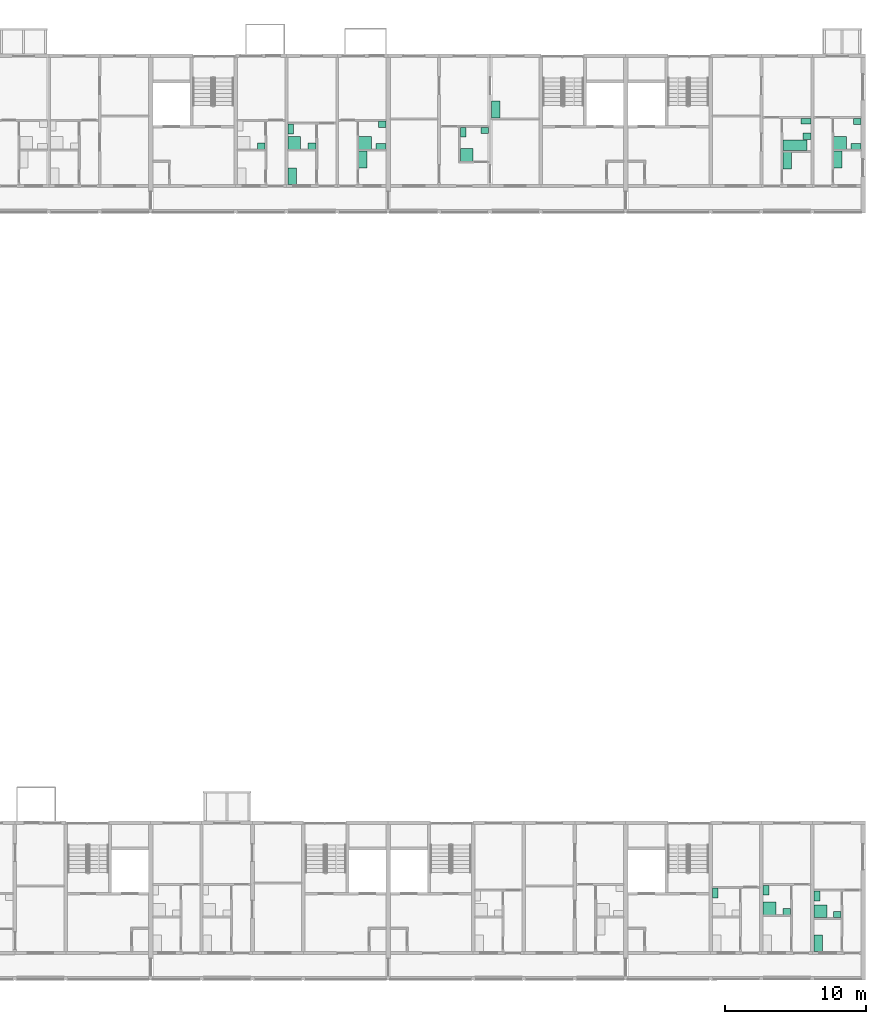
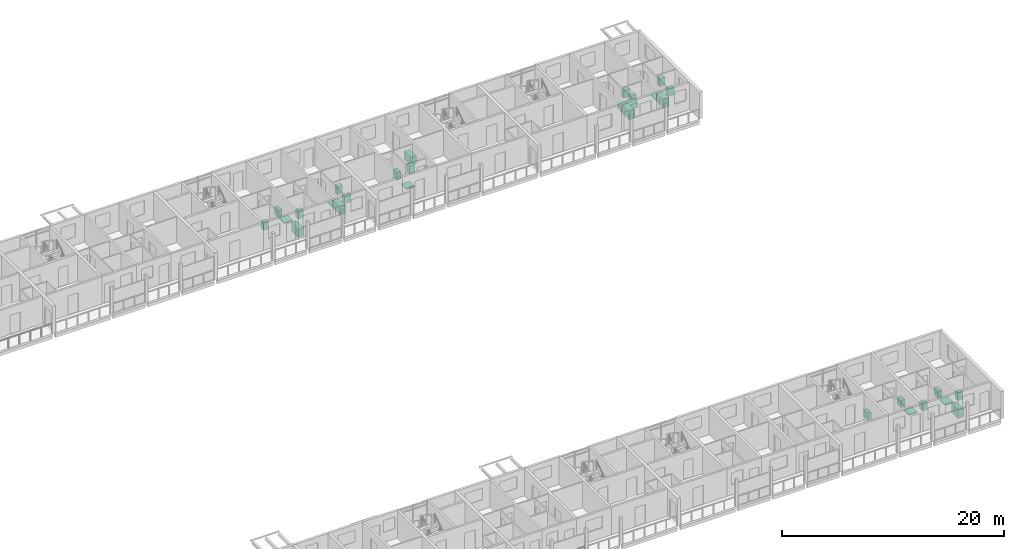
# One storey, part 98 of 98: 29 sanitary terminals.
"""IFC4 building model written with IfcOpenShell, lengths in metres."""

from ifc_helpers import new_model, si_unit, direction, frame, origin, origin_2d, place, context, subcontext, project, spatial, rectangle, extrude, element, save


model = new_model("IFC4")

# Units and contexts
model_context = context("Model", 3, precision=1e-05, world=origin(), true_north=direction((0.0, 1.0)))
body_context = subcontext(model_context, "Body", "Model", "MODEL_VIEW")
ifc_project = project(units=[si_unit("LENGTHUNIT", "METRE"), si_unit("AREAUNIT", "SQUARE_METRE"), si_unit("VOLUMEUNIT", "CUBIC_METRE"), si_unit("PLANEANGLEUNIT", "RADIAN"), si_unit("MASSUNIT", "GRAM", prefix="KILO")], contexts=[model_context])

# Site, building, storey
site_placement = place(None, origin())
site = spatial("IfcSite", under=ifc_project, at=site_placement, CompositionType="ELEMENT")
building_placement = place(site_placement, origin())
building = spatial("IfcBuilding", under=site, at=building_placement, Name="Ridgestep Commons", CompositionType="ELEMENT")
storey_placement = place(building_placement, frame((0.0, 0.0, 12.0)))
storey = spatial("IfcBuildingStorey", under=building, at=storey_placement, Name="L04", CompositionType="ELEMENT", Elevation=12.0)

# Sanitary terminals
sanitary_terminal_1_placement = place(storey_placement, frame((212.360107421875, 70.9599609375, 0.0), z_axis=(0.0, 0.0, 1.0), x_axis=(1.0, 0.0, 0.0)))
element("IfcSanitaryTerminal", 1, at=sanitary_terminal_1_placement, inside=storey, Name="Shower tray C4-04a", PredefinedType="SHOWER", context=body_context, shape_type="SweptSolid", body=[
    extrude(rectangle(XDim=0.89990234375, YDim=0.89990234375, at=origin_2d()), origin(), (0.0, 0.0, 1.0), 0.10009765625),
])
sanitary_terminal_2_placement = place(storey_placement, frame((213.5, 70.7099609375, 0.0), z_axis=(0.0, 0.0, 1.0), x_axis=(1.0, 0.0, 0.0)))
element("IfcSanitaryTerminal", 2, at=sanitary_terminal_2_placement, inside=storey, Name="WC C4-04a", PredefinedType="TOILETPAN", context=body_context, shape_type="SweptSolid", body=[
    extrude(rectangle(XDim=0.699951171875, YDim=0.39990234375, at=origin_2d()), origin(), (0.0, 0.0, 1.0), 0.800048828125),
])
sanitary_terminal_3_placement = place(storey_placement, frame((213.574951171875, 72.27490234375, 0.0), z_axis=(0.0, 0.0, 1.0), x_axis=(1.0, 0.0, 0.0)))
element("IfcSanitaryTerminal", 3, at=sanitary_terminal_3_placement, inside=storey, Name="Basin C4-04a", PredefinedType="WASHHANDBASIN", context=body_context, shape_type="SweptSolid", body=[
    extrude(rectangle(XDim=0.550048828125, YDim=0.449951171875, at=origin_2d()), origin(), (0.0, 0.0, 1.0), 0.85009765625),
])
sanitary_terminal_4_placement = place(storey_placement, frame((212.2099609375, 69.800048828125, 0.0), z_axis=(0.0, 0.0, 1.0), x_axis=(1.0, 0.0, 0.0)))
element("IfcSanitaryTerminal", 4, at=sanitary_terminal_4_placement, inside=storey, Name="Kitchen sink C4-04a", PredefinedType="SINK", context=body_context, shape_type="SweptSolid", body=[
    extrude(rectangle(XDim=0.60009765625, YDim=1.199951171875, at=origin_2d()), origin(), (0.0, 0.0, 1.0), 0.89990234375),
])
sanitary_terminal_5_placement = place(storey_placement, frame((207.35009765625, 70.9599609375, 0.0), z_axis=(0.0, 0.0, 1.0), x_axis=(1.0, 0.0, 0.0)))
element("IfcSanitaryTerminal", 5, at=sanitary_terminal_5_placement, inside=storey, Name="Shower tray C4-04b", PredefinedType="SHOWER", context=body_context, shape_type="SweptSolid", body=[
    extrude(rectangle(XDim=0.89990234375, YDim=0.89990234375, at=origin_2d()), origin(), (0.0, 0.0, 1.0), 0.10009765625),
])
sanitary_terminal_6_placement = place(storey_placement, frame((207.10009765625, 71.949951171875, 0.0), z_axis=(0.0, 0.0, 1.0), x_axis=(1.0, 0.0, 0.0)))
element("IfcSanitaryTerminal", 6, at=sanitary_terminal_6_placement, inside=storey, Name="WC C4-04b", PredefinedType="TOILETPAN", context=body_context, shape_type="SweptSolid", body=[
    extrude(rectangle(XDim=0.39990234375, YDim=0.699951171875, at=origin_2d()), origin(), (0.0, 0.0, 1.0), 0.800048828125),
])
sanitary_terminal_7_placement = place(storey_placement, frame((208.614990234375, 70.735107421875, 0.0), z_axis=(0.0, 0.0, 1.0), x_axis=(1.0, 0.0, 0.0)))
element("IfcSanitaryTerminal", 7, at=sanitary_terminal_7_placement, inside=storey, Name="Basin C4-04b", PredefinedType="WASHHANDBASIN", context=body_context, shape_type="SweptSolid", body=[
    extrude(rectangle(XDim=0.550048828125, YDim=0.449951171875, at=origin_2d()), origin(), (0.0, 0.0, 1.0), 0.85009765625),
])
sanitary_terminal_8_placement = place(storey_placement, frame((207.199951171875, 68.60009765625, 0.0), z_axis=(0.0, 0.0, 1.0), x_axis=(1.0, 0.0, 0.0)))
element("IfcSanitaryTerminal", 8, at=sanitary_terminal_8_placement, inside=storey, Name="Kitchen sink C4-04b", PredefinedType="SINK", context=body_context, shape_type="SweptSolid", body=[
    extrude(rectangle(XDim=0.60009765625, YDim=1.199951171875, at=origin_2d()), origin(), (0.0, 0.0, 1.0), 0.89990234375),
])
sanitary_terminal_9_placement = place(storey_placement, frame((205.014892578125, 70.735107421875, 0.0), z_axis=(0.0, 0.0, 1.0), x_axis=(1.0, 0.0, 0.0)))
element("IfcSanitaryTerminal", 9, at=sanitary_terminal_9_placement, inside=storey, Name="Basin C4-04c", PredefinedType="WASHHANDBASIN", context=body_context, shape_type="SweptSolid", body=[
    extrude(rectangle(XDim=0.550048828125, YDim=0.449951171875, at=origin_2d()), origin(), (0.0, 0.0, 1.0), 0.85009765625),
])
sanitary_terminal_10_placement = place(storey_placement, frame((219.56005859375, 70.110107421875, 0.0), z_axis=(0.0, 0.0, 1.0), x_axis=(1.0, 0.0, 0.0)))
element("IfcSanitaryTerminal", 10, at=sanitary_terminal_10_placement, inside=storey, Name="Shower tray C5-04a", PredefinedType="SHOWER", context=body_context, shape_type="SweptSolid", body=[
    extrude(rectangle(XDim=0.89990234375, YDim=0.89990234375, at=origin_2d()), origin(), (0.0, 0.0, 1.0), 0.10009765625),
])
sanitary_terminal_11_placement = place(storey_placement, frame((219.31005859375, 71.7099609375, 0.0), z_axis=(0.0, 0.0, 1.0), x_axis=(1.0, 0.0, 0.0)))
element("IfcSanitaryTerminal", 11, at=sanitary_terminal_11_placement, inside=storey, Name="WC C5-04a", PredefinedType="TOILETPAN", context=body_context, shape_type="SweptSolid", body=[
    extrude(rectangle(XDim=0.39990234375, YDim=0.699951171875, at=origin_2d()), origin(), (0.0, 0.0, 1.0), 0.800048828125),
])
sanitary_terminal_12_placement = place(storey_placement, frame((220.824951171875, 71.8349609375, 0.0), z_axis=(0.0, 0.0, 1.0), x_axis=(1.0, 0.0, 0.0)))
element("IfcSanitaryTerminal", 12, at=sanitary_terminal_12_placement, inside=storey, Name="Basin C5-04a", PredefinedType="WASHHANDBASIN", context=body_context, shape_type="SweptSolid", body=[
    extrude(rectangle(XDim=0.550048828125, YDim=0.449951171875, at=origin_2d()), origin(), (0.0, 0.0, 1.0), 0.85009765625),
])
sanitary_terminal_13_placement = place(storey_placement, frame((221.60009765625, 73.31005859375, 0.0), z_axis=(0.0, 0.0, 1.0), x_axis=(1.0, 0.0, 0.0)))
element("IfcSanitaryTerminal", 13, at=sanitary_terminal_13_placement, inside=storey, Name="Kitchen sink C5-04a", PredefinedType="SINK", context=body_context, shape_type="SweptSolid", body=[
    extrude(rectangle(XDim=0.60009765625, YDim=1.199951171875, at=origin_2d()), origin(), (0.0, 0.0, 1.0), 0.89990234375),
])
sanitary_terminal_14_placement = place(storey_placement, frame((245.9599609375, 70.9599609375, 0.0), z_axis=(0.0, 0.0, 1.0), x_axis=(1.0, 0.0, 0.0)))
element("IfcSanitaryTerminal", 14, at=sanitary_terminal_14_placement, inside=storey, Name="Shower tray C6-04a", PredefinedType="SHOWER", context=body_context, shape_type="SweptSolid", body=[
    extrude(rectangle(XDim=0.89990234375, YDim=0.89990234375, at=origin_2d()), origin(), (0.0, 0.0, 1.0), 0.10009765625),
])
sanitary_terminal_15_placement = place(storey_placement, frame((247.10009765625, 70.7099609375, 0.0), z_axis=(0.0, 0.0, 1.0), x_axis=(1.0, 0.0, 0.0)))
element("IfcSanitaryTerminal", 15, at=sanitary_terminal_15_placement, inside=storey, Name="WC C6-04a", PredefinedType="TOILETPAN", context=body_context, shape_type="SweptSolid", body=[
    extrude(rectangle(XDim=0.699951171875, YDim=0.39990234375, at=origin_2d()), origin(), (0.0, 0.0, 1.0), 0.800048828125),
])
sanitary_terminal_16_placement = place(storey_placement, frame((247.175048828125, 72.47509765625, 0.0), z_axis=(0.0, 0.0, 1.0), x_axis=(1.0, 0.0, 0.0)))
element("IfcSanitaryTerminal", 16, at=sanitary_terminal_16_placement, inside=storey, Name="Basin C6-04a", PredefinedType="WASHHANDBASIN", context=body_context, shape_type="SweptSolid", body=[
    extrude(rectangle(XDim=0.550048828125, YDim=0.449951171875, at=origin_2d()), origin(), (0.0, 0.0, 1.0), 0.85009765625),
])
sanitary_terminal_17_placement = place(storey_placement, frame((245.81005859375, 69.800048828125, 0.0), z_axis=(0.0, 0.0, 1.0), x_axis=(1.0, 0.0, 0.0)))
element("IfcSanitaryTerminal", 17, at=sanitary_terminal_17_placement, inside=storey, Name="Kitchen sink C6-04a", PredefinedType="SINK", context=body_context, shape_type="SweptSolid", body=[
    extrude(rectangle(XDim=0.60009765625, YDim=1.199951171875, at=origin_2d()), origin(), (0.0, 0.0, 1.0), 0.89990234375),
])
sanitary_terminal_18_placement = place(storey_placement, frame((242.760009765625, 70.784912109375, 0.0), z_axis=(0.0, 0.0, 1.0), x_axis=(1.0, 0.0, 0.0)))
element("IfcSanitaryTerminal", 18, at=sanitary_terminal_18_placement, inside=storey, Name="Bath C6-04b", PredefinedType="BATH", context=body_context, shape_type="SweptSolid", body=[
    extrude(rectangle(XDim=1.699951171875, YDim=0.75, at=origin_2d()), origin(), (0.0, 0.0, 1.0), 0.550048828125),
])
sanitary_terminal_19_placement = place(storey_placement, frame((243.550048828125, 72.5, 0.0), z_axis=(0.0, 0.0, 1.0), x_axis=(1.0, 0.0, 0.0)))
element("IfcSanitaryTerminal", 19, at=sanitary_terminal_19_placement, inside=storey, Name="WC C6-04b", PredefinedType="TOILETPAN", context=body_context, shape_type="SweptSolid", body=[
    extrude(rectangle(XDim=0.699951171875, YDim=0.39990234375, at=origin_2d()), origin(), (0.0, 0.0, 1.0), 0.800048828125),
])
sanitary_terminal_20_placement = place(storey_placement, frame((243.625, 71.43505859375, 0.0), z_axis=(0.0, 0.0, 1.0), x_axis=(1.0, 0.0, 0.0)))
element("IfcSanitaryTerminal", 20, at=sanitary_terminal_20_placement, inside=storey, Name="Basin C6-04b", PredefinedType="WASHHANDBASIN", context=body_context, shape_type="SweptSolid", body=[
    extrude(rectangle(XDim=0.550048828125, YDim=0.449951171875, at=origin_2d()), origin(), (0.0, 0.0, 1.0), 0.85009765625),
])
sanitary_terminal_21_placement = place(storey_placement, frame((242.2099609375, 69.699951171875, 0.0), z_axis=(0.0, 0.0, 1.0), x_axis=(1.0, 0.0, 0.0)))
element("IfcSanitaryTerminal", 21, at=sanitary_terminal_21_placement, inside=storey, Name="Kitchen sink C6-04b", PredefinedType="SINK", context=body_context, shape_type="SweptSolid", body=[
    extrude(rectangle(XDim=0.60009765625, YDim=1.199951171875, at=origin_2d()), origin(), (0.0, 0.0, 1.0), 0.89990234375),
])
sanitary_terminal_22_placement = place(storey_placement, frame((244.574951171875, 16.610107421875, 0.0), z_axis=(0.0, 0.0, 1.0), x_axis=(1.0, 0.0, 0.0)))
element("IfcSanitaryTerminal", 22, at=sanitary_terminal_22_placement, inside=storey, Name="Shower tray D6-04a", PredefinedType="SHOWER", context=body_context, shape_type="SweptSolid", body=[
    extrude(rectangle(XDim=0.89990234375, YDim=0.89990234375, at=origin_2d()), origin(), (0.0, 0.0, 1.0), 0.10009765625),
])
sanitary_terminal_23_placement = place(storey_placement, frame((244.324951171875, 17.699951171875, 0.0), z_axis=(0.0, 0.0, 1.0), x_axis=(1.0, 0.0, 0.0)))
element("IfcSanitaryTerminal", 23, at=sanitary_terminal_23_placement, inside=storey, Name="WC D6-04a", PredefinedType="TOILETPAN", context=body_context, shape_type="SweptSolid", body=[
    extrude(rectangle(XDim=0.39990234375, YDim=0.699951171875, at=origin_2d()), origin(), (0.0, 0.0, 1.0), 0.800048828125),
])
sanitary_terminal_24_placement = place(storey_placement, frame((245.764892578125, 16.385009765625, 0.0), z_axis=(0.0, 0.0, 1.0), x_axis=(1.0, 0.0, 0.0)))
element("IfcSanitaryTerminal", 24, at=sanitary_terminal_24_placement, inside=storey, Name="Basin D6-04a", PredefinedType="WASHHANDBASIN", context=body_context, shape_type="SweptSolid", body=[
    extrude(rectangle(XDim=0.550048828125, YDim=0.449951171875, at=origin_2d()), origin(), (0.0, 0.0, 1.0), 0.85009765625),
])
sanitary_terminal_25_placement = place(storey_placement, frame((244.425048828125, 14.35009765625, 0.0), z_axis=(0.0, 0.0, 1.0), x_axis=(1.0, 0.0, 0.0)))
element("IfcSanitaryTerminal", 25, at=sanitary_terminal_25_placement, inside=storey, Name="Kitchen sink D6-04a", PredefinedType="SINK", context=body_context, shape_type="SweptSolid", body=[
    extrude(rectangle(XDim=0.60009765625, YDim=1.199951171875, at=origin_2d()), origin(), (0.0, 0.0, 1.0), 0.89990234375),
])
sanitary_terminal_26_placement = place(storey_placement, frame((240.97509765625, 16.81005859375, 0.0), z_axis=(0.0, 0.0, 1.0), x_axis=(1.0, 0.0, 0.0)))
element("IfcSanitaryTerminal", 26, at=sanitary_terminal_26_placement, inside=storey, Name="Shower tray D6-04b", PredefinedType="SHOWER", context=body_context, shape_type="SweptSolid", body=[
    extrude(rectangle(XDim=0.89990234375, YDim=0.89990234375, at=origin_2d()), origin(), (0.0, 0.0, 1.0), 0.10009765625),
])
sanitary_terminal_27_placement = place(storey_placement, frame((240.72509765625, 18.10009765625, 0.0), z_axis=(0.0, 0.0, 1.0), x_axis=(1.0, 0.0, 0.0)))
element("IfcSanitaryTerminal", 27, at=sanitary_terminal_27_placement, inside=storey, Name="WC D6-04b", PredefinedType="TOILETPAN", context=body_context, shape_type="SweptSolid", body=[
    extrude(rectangle(XDim=0.39990234375, YDim=0.699951171875, at=origin_2d()), origin(), (0.0, 0.0, 1.0), 0.800048828125),
])
sanitary_terminal_28_placement = place(storey_placement, frame((242.18994140625, 16.5849609375, 0.0), z_axis=(0.0, 0.0, 1.0), x_axis=(1.0, 0.0, 0.0)))
element("IfcSanitaryTerminal", 28, at=sanitary_terminal_28_placement, inside=storey, Name="Basin D6-04b", PredefinedType="WASHHANDBASIN", context=body_context, shape_type="SweptSolid", body=[
    extrude(rectangle(XDim=0.550048828125, YDim=0.449951171875, at=origin_2d()), origin(), (0.0, 0.0, 1.0), 0.85009765625),
])
sanitary_terminal_29_placement = place(storey_placement, frame((237.125, 17.89990234375, 0.0), z_axis=(0.0, 0.0, 1.0), x_axis=(1.0, 0.0, 0.0)))
element("IfcSanitaryTerminal", 29, at=sanitary_terminal_29_placement, inside=storey, Name="WC D6-04c", PredefinedType="TOILETPAN", context=body_context, shape_type="SweptSolid", body=[
    extrude(rectangle(XDim=0.39990234375, YDim=0.699951171875, at=origin_2d()), origin(), (0.0, 0.0, 1.0), 0.800048828125),
])

save(model, "model.ifc")
